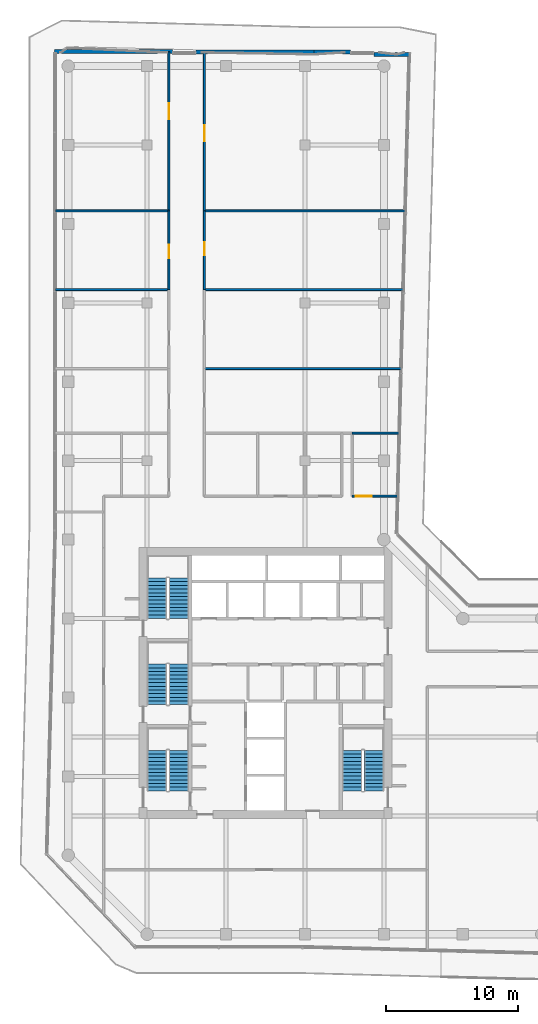
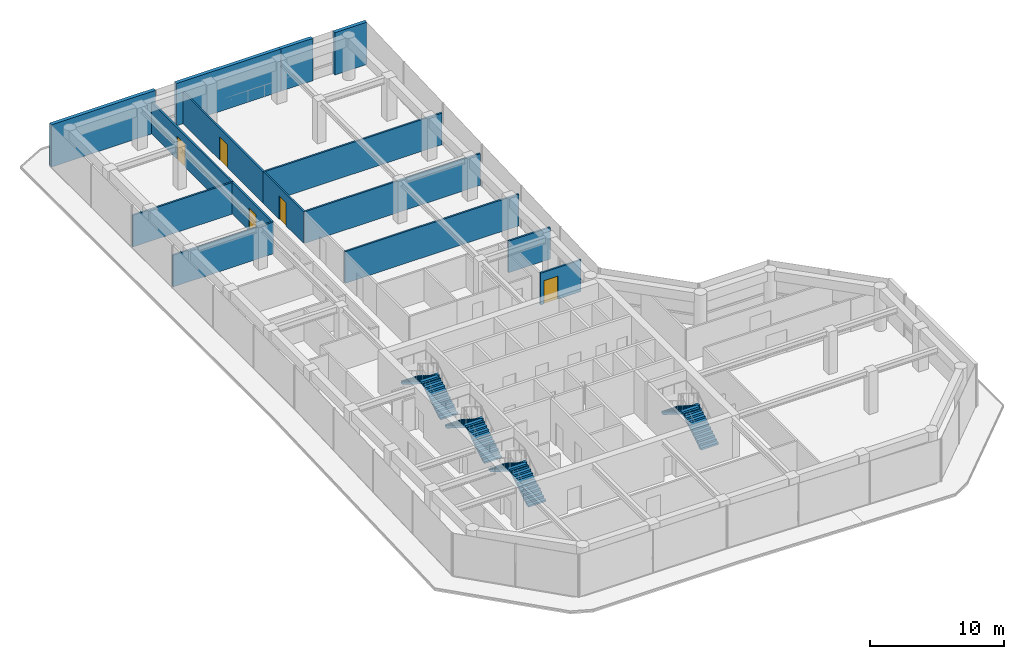
# One storey, part 17 of 19: 15 walls, 8 stair flights, 5 doors, 5 openings, 4 elements without a shape of their own.
"""IFC4 building model written with IfcOpenShell, lengths in metres."""

from ifc_helpers import new_model, si_unit, direction, frame, frame_2d, origin, place, context, subcontext, project, spatial, polyline, rectangle, outline, extrude, material, layer, layer_set, type_object, element, fill, aggregate, save


model = new_model("IFC4")

# Units and contexts
model_context = context("Model", 3, precision=1e-05, world=origin(), true_north=direction((0.0, 1.0)))
body_context = subcontext(model_context, "Body", "Model", "MODEL_VIEW")
ifc_project = project(units=[si_unit("LENGTHUNIT", "METRE"), si_unit("AREAUNIT", "SQUARE_METRE"), si_unit("VOLUMEUNIT", "CUBIC_METRE"), si_unit("PLANEANGLEUNIT", "RADIAN"), si_unit("MASSUNIT", "GRAM", prefix="KILO")], contexts=[model_context])

# Site, building, storey
site_placement = place(None, origin())
site = spatial("IfcSite", under=ifc_project, at=site_placement, CompositionType="ELEMENT")
building_placement = place(site_placement, origin())
building = spatial("IfcBuilding", under=site, at=building_placement, Name="Welwitschia Terrace Campus", CompositionType="ELEMENT")
storey_placement = place(building_placement, frame((0.0, 0.0, 163.39990234375)))
storey = spatial("IfcBuildingStorey", under=building, at=storey_placement, Name="L36", CompositionType="ELEMENT", Elevation=163.39990234375)

# Walls
ifc_material_1 = material(Name="Gypsum board on steel studs", Category="steel")
ifc_layer_1 = layer(ifc_material_1, 0.14990234375)
ifc_layer_set_1 = layer_set([ifc_layer_1], Name="Gypsum board on steel studs")
wall_type_1 = type_object("IfcWallType", Name="Corridor partition 150 EI 30", PredefinedType="PARTITIONING", material=ifc_layer_set_1)
for number, where, z_axis, x_axis, name in (
    (1, (-0.965087890625, 45.0, 0.0), (0.0, 0.0, 1.0), (1.0, 0.0, 0.0), "Partition"),
    (2, (-0.965087890625, 51.0, 0.0), (0.0, 0.0, 1.0), (1.0, 0.0, 0.0), "Partition"),
):
    element("IfcWall", number, at=place(storey_placement, frame(where, z_axis=z_axis, x_axis=x_axis)), inside=storey, type_object=wall_type_1, Name=name, PredefinedType="PARTITIONING", context=body_context, shape_type="SweptSolid", body=[
        extrude(rectangle(XDim=8.614990234375, YDim=0.14990234375, at=frame_2d((4.3076171875, 0.0))), origin(), (0.0, 0.0, 1.0), 2.880126953125),
    ])

# Wall, opening, door
wall_1_placement = place(storey_placement, frame((7.64990234375, 45.0, 0.0), z_axis=(0.0, 0.0, 1.0), x_axis=(0.0, 1.0, 0.0)))
wall_1 = element("IfcWall", 3, at=wall_1_placement, inside=storey, type_object=wall_type_1, Name="Partition", PredefinedType="PARTITIONING", context=body_context, shape_type="SweptSolid", body=[
    extrude(rectangle(XDim=6.0, YDim=0.14990234375, at=frame_2d((3.0, 0.0))), origin(), (0.0, 0.0, 1.0), 2.880126953125),
])
opening_1_placement = place(wall_1_placement, frame((2.39990234375, 0.0, 0.0)))
opening_1 = element("IfcOpeningElement", 4, at=opening_1_placement, cuts=wall_1, Name="Opening DI10", PredefinedType="OPENING", context=body_context, shape_type="SweptSolid", body=[
    extrude(rectangle(XDim=1.0, YDim=2.10009765625, at=frame_2d((0.5, 1.050048828125))), frame((0.0, 0.0849609375, 0.0), z_axis=(0.0, -1.0, 0.0), x_axis=(1.0, 0.0, 0.0)), (0.0, 0.0, 1.0), 0.169921875),
])
ifc_material_2 = material(Name="Timber veneered door", Category="wood")
door_type_1 = type_object("IfcDoorType", Name="Interior door DI10", OperationType="NOTDEFINED", PredefinedType="DOOR", material=ifc_material_2)
door_1_placement = place(opening_1_placement, origin())
door_1 = element("IfcDoor", 5, at=door_1_placement, inside=storey, type_object=door_type_1, Name="Door L36 730", OperationType="SINGLE_SWING_LEFT", OverallHeight=2.10009765625, OverallWidth=1.0, PredefinedType="DOOR", context=body_context, shape_type="SweptSolid", body=[
    extrude(rectangle(XDim=1.0, YDim=2.10009765625, at=frame_2d((0.5, 1.050048828125))), frame((0.0, 0.02490234375, 0.0), z_axis=(0.0, -1.0, 0.0), x_axis=(1.0, 0.0, 0.0)), (0.0, 0.0, 1.0), 0.050048828125),
])
fill(opening_1, door_1)

wall_2_placement = place(storey_placement, frame((7.64990234375, 51.0, 0.0), z_axis=(0.0, 0.0, 1.0), x_axis=(0.0, 1.0, 0.0)))
wall_2 = element("IfcWall", 6, at=wall_2_placement, inside=storey, type_object=wall_type_1, Name="Partition", PredefinedType="PARTITIONING", context=body_context, shape_type="SweptSolid", body=[
    extrude(rectangle(XDim=12.08349609375, YDim=0.14990234375, at=frame_2d((6.041748046875, 0.0))), origin(), (0.0, 0.0, 1.0), 2.880126953125),
])
opening_2_placement = place(wall_2_placement, frame((6.969970703125, 0.0, 0.0)))
opening_2 = element("IfcOpeningElement", 7, at=opening_2_placement, cuts=wall_2, Name="Opening DI12", PredefinedType="OPENING", context=body_context, shape_type="SweptSolid", body=[
    extrude(rectangle(XDim=1.199951171875, YDim=2.10009765625, at=frame_2d((0.60009765625, 1.050048828125))), frame((0.0, 0.0849609375, 0.0), z_axis=(0.0, -1.0, 0.0), x_axis=(1.0, 0.0, 0.0)), (0.0, 0.0, 1.0), 0.169921875),
])
ifc_material_3 = material(Name="Timber veneered door", Category="wood")
door_type_2 = type_object("IfcDoorType", Name="Interior door DI12", OperationType="NOTDEFINED", PredefinedType="DOOR", material=ifc_material_3)
door_2_placement = place(opening_2_placement, origin())
door_2 = element("IfcDoor", 8, at=door_2_placement, inside=storey, type_object=door_type_2, Name="Door L36 731", OperationType="SINGLE_SWING_RIGHT", OverallHeight=2.10009765625, OverallWidth=1.199951171875, PredefinedType="DOOR", context=body_context, shape_type="SweptSolid", body=[
    extrude(rectangle(XDim=1.199951171875, YDim=2.10009765625, at=frame_2d((0.60009765625, 1.050048828125))), frame((0.0, 0.02490234375, 0.0), z_axis=(0.0, -1.0, 0.0), x_axis=(1.0, 0.0, 0.0)), (0.0, 0.0, 1.0), 0.050048828125),
])
fill(opening_2, door_2)

# Walls
wall_3_placement = place(storey_placement, frame((10.35009765625, 39.0, 0.0), z_axis=(0.0, 0.0, 1.0), x_axis=(1.0, 0.0, 0.0)))
element("IfcWall", 9, at=wall_3_placement, inside=storey, type_object=wall_type_1, Name="Partition", PredefinedType="PARTITIONING", context=body_context, shape_type="SweptSolid", body=[
    extrude(rectangle(XDim=14.9599609375, YDim=0.14990234375, at=frame_2d((7.47998046875, 0.0))), origin(), (0.0, 0.0, 1.0), 2.880126953125),
])
wall_4_placement = place(storey_placement, frame((10.35009765625, 45.0, 0.0), z_axis=(0.0, 0.0, 1.0), x_axis=(1.0, 0.0, 0.0)))
element("IfcWall", 10, at=wall_4_placement, inside=storey, type_object=wall_type_1, Name="Partition", PredefinedType="PARTITIONING", context=body_context, shape_type="SweptSolid", body=[
    extrude(rectangle(XDim=15.119873046875, YDim=0.14990234375, at=frame_2d((7.56005859375, 0.0))), origin(), (0.0, 0.0, 1.0), 2.880126953125),
])

# Wall, opening, door
wall_5_placement = place(storey_placement, frame((10.35009765625, 51.0, 0.0), z_axis=(0.0, 0.0, 1.0), x_axis=(0.0, -1.0, 0.0)))
wall_5 = element("IfcWall", 11, at=wall_5_placement, inside=storey, type_object=wall_type_1, Name="Partition", PredefinedType="PARTITIONING", context=body_context, shape_type="SweptSolid", body=[
    extrude(rectangle(XDim=6.0, YDim=0.14990234375, at=frame_2d((3.0, 0.0))), origin(), (0.0, 0.0, 1.0), 2.880126953125),
])
opening_3_placement = place(wall_5_placement, frame((2.39990234375, 0.0, 0.0)))
opening_3 = element("IfcOpeningElement", 12, at=opening_3_placement, cuts=wall_5, Name="Opening DI10", PredefinedType="OPENING", context=body_context, shape_type="SweptSolid", body=[
    extrude(rectangle(XDim=1.0, YDim=2.10009765625, at=frame_2d((0.5, 1.050048828125))), frame((0.0, 0.0849609375, 0.0), z_axis=(0.0, -1.0, 0.0), x_axis=(1.0, 0.0, 0.0)), (0.0, 0.0, 1.0), 0.169921875),
])
door_3_placement = place(opening_3_placement, origin())
door_3 = element("IfcDoor", 13, at=door_3_placement, inside=storey, type_object=door_type_1, Name="Door L36 734", OperationType="SINGLE_SWING_LEFT", OverallHeight=2.10009765625, OverallWidth=1.0, PredefinedType="DOOR", context=body_context, shape_type="SweptSolid", body=[
    extrude(rectangle(XDim=1.0, YDim=2.10009765625, at=frame_2d((0.5, 1.050048828125))), frame((0.0, 0.02490234375, 0.0), z_axis=(0.0, -1.0, 0.0), x_axis=(1.0, 0.0, 0.0)), (0.0, 0.0, 1.0), 0.050048828125),
])
fill(opening_3, door_3)

# Wall
wall_6_placement = place(storey_placement, frame((10.35009765625, 51.0, 0.0), z_axis=(0.0, 0.0, 1.0), x_axis=(1.0, 0.0, 0.0)))
element("IfcWall", 14, at=wall_6_placement, inside=storey, type_object=wall_type_1, Name="Partition", PredefinedType="PARTITIONING", context=body_context, shape_type="SweptSolid", body=[
    extrude(rectangle(XDim=15.27978515625, YDim=0.14990234375, at=frame_2d((7.639892578125, 0.0))), origin(), (0.0, 0.0, 1.0), 2.880126953125),
])

# Wall, opening, door
wall_7_placement = place(storey_placement, frame((10.35009765625, 63.085205078125, 0.0), z_axis=(0.0, 0.0, 1.0), x_axis=(0.0, -1.0, 0.0)))
wall_7 = element("IfcWall", 15, at=wall_7_placement, inside=storey, type_object=wall_type_1, Name="Partition", PredefinedType="PARTITIONING", context=body_context, shape_type="SweptSolid", body=[
    extrude(rectangle(XDim=12.085205078125, YDim=0.14990234375, at=frame_2d((6.04248046875, 0.0))), origin(), (0.0, 0.0, 1.0), 2.880126953125),
])
opening_4_placement = place(wall_7_placement, frame((5.585205078125, 0.0, 0.0)))
opening_4 = element("IfcOpeningElement", 16, at=opening_4_placement, cuts=wall_7, Name="Opening DI12", PredefinedType="OPENING", context=body_context, shape_type="SweptSolid", body=[
    extrude(rectangle(XDim=1.199951171875, YDim=2.10009765625, at=frame_2d((0.60009765625, 1.050048828125))), frame((0.0, 0.0849609375, 0.0), z_axis=(0.0, -1.0, 0.0), x_axis=(1.0, 0.0, 0.0)), (0.0, 0.0, 1.0), 0.169921875),
])
door_4_placement = place(opening_4_placement, origin())
door_4 = element("IfcDoor", 17, at=door_4_placement, inside=storey, type_object=door_type_2, Name="Door L36 735", OperationType="SINGLE_SWING_RIGHT", OverallHeight=2.10009765625, OverallWidth=1.199951171875, PredefinedType="DOOR", context=body_context, shape_type="SweptSolid", body=[
    extrude(rectangle(XDim=1.199951171875, YDim=2.10009765625, at=frame_2d((0.60009765625, 1.050048828125))), frame((0.0, 0.02490234375, 0.0), z_axis=(0.0, -1.0, 0.0), x_axis=(1.0, 0.0, 0.0)), (0.0, 0.0, 1.0), 0.050048828125),
])
fill(opening_4, door_4)

wall_8_placement = place(storey_placement, frame((21.580078125, 29.300048828125, 0.0), z_axis=(0.0, 0.0, 1.0), x_axis=(1.0, 0.0, 0.0)))
wall_8 = element("IfcWall", 18, at=wall_8_placement, inside=storey, type_object=wall_type_1, Name="Partition", PredefinedType="PARTITIONING", context=body_context, shape_type="SweptSolid", body=[
    extrude(rectangle(XDim=3.47998046875, YDim=0.14990234375, at=frame_2d((1.739990234375, 0.0))), origin(), (0.0, 0.0, 1.0), 2.880126953125),
])
opening_5_placement = place(wall_8_placement, frame((0.280029296875, 0.0, 0.0)))
opening_5 = element("IfcOpeningElement", 19, at=opening_5_placement, cuts=wall_8, Name="Opening DX12", PredefinedType="OPENING", context=body_context, shape_type="SweptSolid", body=[
    extrude(rectangle(XDim=1.199951171875, YDim=2.10009765625, at=frame_2d((0.60009765625, 1.050048828125))), frame((0.0, 0.0849609375, 0.0), z_axis=(0.0, -1.0, 0.0), x_axis=(1.0, 0.0, 0.0)), (0.0, 0.0, 1.0), 0.169921875),
])
ifc_material_4 = material(Name="Timber veneered door", Category="wood")
door_type_3 = type_object("IfcDoorType", Name="Interior door DX12", OperationType="NOTDEFINED", PredefinedType="DOOR", material=ifc_material_4)
door_5_placement = place(opening_5_placement, origin())
door_5 = element("IfcDoor", 20, at=door_5_placement, inside=storey, type_object=door_type_3, Name="Door L36 738", OperationType="SINGLE_SWING_LEFT", OverallHeight=2.10009765625, OverallWidth=1.199951171875, PredefinedType="DOOR", context=body_context, shape_type="SweptSolid", body=[
    extrude(rectangle(XDim=1.199951171875, YDim=2.10009765625, at=frame_2d((0.60009765625, 1.050048828125))), frame((0.0, 0.02490234375, 0.0), z_axis=(0.0, -1.0, 0.0), x_axis=(1.0, 0.0, 0.0)), (0.0, 0.0, 1.0), 0.050048828125),
])
fill(opening_5, door_5)

# Walls
wall_9_placement = place(storey_placement, frame((21.580078125, 34.10009765625, 0.0), z_axis=(0.0, 0.0, 1.0), x_axis=(1.0, 0.0, 0.0)))
element("IfcWall", 21, at=wall_9_placement, inside=storey, type_object=wall_type_1, Name="Partition", PredefinedType="PARTITIONING", context=body_context, shape_type="SweptSolid", body=[
    extrude(rectangle(XDim=3.599853515625, YDim=0.14990234375, at=frame_2d((1.7998046875, 0.0))), origin(), (0.0, 0.0, 1.0), 2.880126953125),
])
ifc_material_5 = material(Name="Concrete C40/50", Category="concrete")
ifc_layer_2 = layer(ifc_material_5, 0.300048828125)
ifc_layer_set_2 = layer_set([ifc_layer_2], Name="Concrete C40/50")
wall_type_2 = type_object("IfcWallType", Name="Mass wall 300", PredefinedType="SOLIDWALL", material=ifc_layer_set_2)
for number, where, z_axis, x_axis, name in (
    (22, (25.990234375, 62.89111328125, 0.0), (0.0, 0.0, 1.0), (-1.0, 0.0, 0.0), "Mass wall L36.11.0"),
    (23, (21.441650390625, 63.080078125, 0.0), (0.0, 0.0, 1.0), (-1.0, 0.0, 0.0), "Mass wall L36.11.1"),
):
    element("IfcWall", number, at=place(storey_placement, frame(where, z_axis=z_axis, x_axis=x_axis)), inside=storey, type_object=wall_type_2, Name=name, PredefinedType="SOLIDWALL", context=body_context, shape_type="SweptSolid", body=[
        extrude(rectangle(XDim=2.74853515625, YDim=0.300048828125, at=frame_2d((1.374267578125, 0.0))), origin(), (0.0, 0.0, 1.0), 3.85009765625),
    ])
for number, where, z_axis, x_axis, name in (
    (24, (18.69287109375, 63.080078125, 0.0), (0.0, 0.0, 1.0), (-0.999999820386, -0.000599356946, 0.0), "Mass wall L36.12.0"),
    (25, (7.931396484375, 63.096435546875, 0.0), (0.0, 0.0, 1.0), (-0.999999836343, -0.000572113457, 0.0), "Mass wall L36.12.1"),
):
    element("IfcWall", number, at=place(storey_placement, frame(where, z_axis=z_axis, x_axis=x_axis)), inside=storey, type_object=wall_type_2, Name=name, PredefinedType="SOLIDWALL", context=body_context, shape_type="SweptSolid", body=[
        extrude(rectangle(XDim=8.96142578125, YDim=0.300048828125, at=frame_2d((4.480712890625, 0.0))), origin(), (0.0, 0.0, 1.0), 3.85009765625),
    ])

# Stair, stair flights
ifc_material_6 = material(Name="Concrete C40/50", Category="concrete")
stair_type = type_object("IfcStairType", Name="Stair 24R 175 W1500", PredefinedType="HALF_TURN_STAIR", material=ifc_material_6)
stair_1_placement = place(storey_placement, origin())
stair_1 = element("IfcStair", 26, at=stair_1_placement, inside=storey, type_object=stair_type, Name="L36 Exit stair S1", PredefinedType="HALF_TURN_STAIR")
ifc_material_7 = material(Name="Concrete C40/50", Category="concrete")
stair_flight_type = type_object("IfcStairFlightType", Name="Stair flight 24R 175 W1500", PredefinedType="STRAIGHT", material=ifc_material_7)
stair_flight_1_placement = place(storey_placement, frame((8.39990234375, 6.89990234375, 0.0), z_axis=(0.0, 0.0, 1.0), x_axis=(0.0, 1.0, 0.0)))
stair_flight_1 = element("IfcStairFlight", 27, at=stair_flight_1_placement, type_object=stair_flight_type, Name="S1 flight 1", NumberOfRisers=12, NumberOfTreads=11, PredefinedType="STRAIGHT", RiserHeight=0.175, TreadLength=0.28, context=body_context, shape_type="SweptSolid", body=[
    extrude(outline(polyline([(0.0, 0.0), (0.0, 0.175048828125), (0.280029296875, 0.175048828125), (0.280029296875, 0.35009765625), (0.56005859375, 0.35009765625), (0.56005859375, 0.52490234375), (0.840087890625, 0.52490234375), (0.840087890625, 0.699951171875), (1.1201171875, 0.699951171875), (1.1201171875, 0.875), (1.39990234375, 0.875), (1.39990234375, 1.050048828125), (1.679931640625, 1.050048828125), (1.679931640625, 1.22509765625), (1.9599609375, 1.22509765625), (1.9599609375, 1.39990234375), (2.239990234375, 1.39990234375), (2.239990234375, 1.574951171875), (2.52001953125, 1.574951171875), (2.52001953125, 1.75), (2.800048828125, 1.75), (2.800048828125, 1.925048828125), (3.080078125, 1.925048828125), (3.080078125, 2.10009765625), (3.080078125, 1.748291015625), (0.28271484375, 0.0), (0.0, 0.0)])), frame((0.0, 0.75, 0.0), z_axis=(0.0, -1.0, 0.0), x_axis=(1.0, 0.0, 0.0)), (0.0, 0.0, 1.0), 1.5),
])
stair_flight_2_placement = place(storey_placement, frame((6.75, 9.97998046875, 2.10009765625), z_axis=(0.0, 0.0, 1.0), x_axis=(0.0, -1.0, 0.0)))
stair_flight_2 = element("IfcStairFlight", 28, at=stair_flight_2_placement, type_object=stair_flight_type, Name="S1 flight 2", NumberOfRisers=12, NumberOfTreads=11, PredefinedType="STRAIGHT", RiserHeight=0.175, TreadLength=0.28, context=body_context, shape_type="SweptSolid", body=[
    extrude(outline(polyline([(0.0, 0.0), (0.0, 0.175048828125), (0.280029296875, 0.175048828125), (0.280029296875, 0.35009765625), (0.56005859375, 0.35009765625), (0.56005859375, 0.52490234375), (0.840087890625, 0.52490234375), (0.840087890625, 0.699951171875), (1.1201171875, 0.699951171875), (1.1201171875, 0.875), (1.39990234375, 0.875), (1.39990234375, 1.050048828125), (1.679931640625, 1.050048828125), (1.679931640625, 1.22509765625), (1.9599609375, 1.22509765625), (1.9599609375, 1.39990234375), (2.239990234375, 1.39990234375), (2.239990234375, 1.574951171875), (2.52001953125, 1.574951171875), (2.52001953125, 1.75), (2.800048828125, 1.75), (2.800048828125, 1.925048828125), (3.080078125, 1.925048828125), (3.080078125, 2.10009765625), (3.080078125, 1.748291015625), (0.28271484375, 0.0), (0.0, 0.0)])), frame((0.0, 0.75, 0.0), z_axis=(0.0, -1.0, 0.0), x_axis=(1.0, 0.0, 0.0)), (0.0, 0.0, 1.0), 1.5),
])
aggregate(stair_1, [stair_flight_1, stair_flight_2])

stair_2_placement = place(storey_placement, origin())
stair_2 = element("IfcStair", 29, at=stair_2_placement, inside=storey, type_object=stair_type, Name="L36 Exit stair S3", PredefinedType="HALF_TURN_STAIR")
stair_flight_3_placement = place(storey_placement, frame((8.39990234375, 13.449951171875, 0.0), z_axis=(0.0, 0.0, 1.0), x_axis=(0.0, 1.0, 0.0)))
stair_flight_3 = element("IfcStairFlight", 30, at=stair_flight_3_placement, type_object=stair_flight_type, Name="S3 flight 1", NumberOfRisers=12, NumberOfTreads=11, PredefinedType="STRAIGHT", RiserHeight=0.175, TreadLength=0.28, context=body_context, shape_type="SweptSolid", body=[
    extrude(outline(polyline([(0.0, 0.0), (0.0, 0.175048828125), (0.280029296875, 0.175048828125), (0.280029296875, 0.35009765625), (0.56005859375, 0.35009765625), (0.56005859375, 0.52490234375), (0.840087890625, 0.52490234375), (0.840087890625, 0.699951171875), (1.1201171875, 0.699951171875), (1.1201171875, 0.875), (1.39990234375, 0.875), (1.39990234375, 1.050048828125), (1.679931640625, 1.050048828125), (1.679931640625, 1.22509765625), (1.9599609375, 1.22509765625), (1.9599609375, 1.39990234375), (2.239990234375, 1.39990234375), (2.239990234375, 1.574951171875), (2.52001953125, 1.574951171875), (2.52001953125, 1.75), (2.800048828125, 1.75), (2.800048828125, 1.925048828125), (3.080078125, 1.925048828125), (3.080078125, 2.10009765625), (3.080078125, 1.748291015625), (0.28271484375, 0.0), (0.0, 0.0)])), frame((0.0, 0.75, 0.0), z_axis=(0.0, -1.0, 0.0), x_axis=(1.0, 0.0, 0.0)), (0.0, 0.0, 1.0), 1.5),
])
stair_flight_4_placement = place(storey_placement, frame((6.75, 16.530029296875, 2.10009765625), z_axis=(0.0, 0.0, 1.0), x_axis=(0.0, -1.0, 0.0)))
stair_flight_4 = element("IfcStairFlight", 31, at=stair_flight_4_placement, type_object=stair_flight_type, Name="S3 flight 2", NumberOfRisers=12, NumberOfTreads=11, PredefinedType="STRAIGHT", RiserHeight=0.175, TreadLength=0.28, context=body_context, shape_type="SweptSolid", body=[
    extrude(outline(polyline([(0.0, 0.0), (0.0, 0.175048828125), (0.280029296875, 0.175048828125), (0.280029296875, 0.35009765625), (0.56005859375, 0.35009765625), (0.56005859375, 0.52490234375), (0.840087890625, 0.52490234375), (0.840087890625, 0.699951171875), (1.1201171875, 0.699951171875), (1.1201171875, 0.875), (1.39990234375, 0.875), (1.39990234375, 1.050048828125), (1.679931640625, 1.050048828125), (1.679931640625, 1.22509765625), (1.9599609375, 1.22509765625), (1.9599609375, 1.39990234375), (2.239990234375, 1.39990234375), (2.239990234375, 1.574951171875), (2.52001953125, 1.574951171875), (2.52001953125, 1.75), (2.800048828125, 1.75), (2.800048828125, 1.925048828125), (3.080078125, 1.925048828125), (3.080078125, 2.10009765625), (3.080078125, 1.748291015625), (0.28271484375, 0.0), (0.0, 0.0)])), frame((0.0, 0.75, 0.0), z_axis=(0.0, -1.0, 0.0), x_axis=(1.0, 0.0, 0.0)), (0.0, 0.0, 1.0), 1.5),
])
aggregate(stair_2, [stair_flight_3, stair_flight_4])

stair_3_placement = place(storey_placement, origin())
stair_3 = element("IfcStair", 32, at=stair_3_placement, inside=storey, type_object=stair_type, Name="L36 Exit stair S4", PredefinedType="HALF_TURN_STAIR")
stair_flight_5_placement = place(storey_placement, frame((8.39990234375, 20.0, 0.0), z_axis=(0.0, 0.0, 1.0), x_axis=(0.0, 1.0, 0.0)))
stair_flight_5 = element("IfcStairFlight", 33, at=stair_flight_5_placement, type_object=stair_flight_type, Name="S4 flight 1", NumberOfRisers=12, NumberOfTreads=11, PredefinedType="STRAIGHT", RiserHeight=0.175, TreadLength=0.28, context=body_context, shape_type="SweptSolid", body=[
    extrude(outline(polyline([(0.0, 0.0), (0.0, 0.175048828125), (0.280029296875, 0.175048828125), (0.280029296875, 0.35009765625), (0.56005859375, 0.35009765625), (0.56005859375, 0.52490234375), (0.840087890625, 0.52490234375), (0.840087890625, 0.699951171875), (1.1201171875, 0.699951171875), (1.1201171875, 0.875), (1.39990234375, 0.875), (1.39990234375, 1.050048828125), (1.679931640625, 1.050048828125), (1.679931640625, 1.22509765625), (1.9599609375, 1.22509765625), (1.9599609375, 1.39990234375), (2.239990234375, 1.39990234375), (2.239990234375, 1.574951171875), (2.52001953125, 1.574951171875), (2.52001953125, 1.75), (2.800048828125, 1.75), (2.800048828125, 1.925048828125), (3.080078125, 1.925048828125), (3.080078125, 2.10009765625), (3.080078125, 1.748291015625), (0.28271484375, 0.0), (0.0, 0.0)])), frame((0.0, 0.75, 0.0), z_axis=(0.0, -1.0, 0.0), x_axis=(1.0, 0.0, 0.0)), (0.0, 0.0, 1.0), 1.5),
])
stair_flight_6_placement = place(storey_placement, frame((6.75, 23.080078125, 2.10009765625), z_axis=(0.0, 0.0, 1.0), x_axis=(0.0, -1.0, 0.0)))
stair_flight_6 = element("IfcStairFlight", 34, at=stair_flight_6_placement, type_object=stair_flight_type, Name="S4 flight 2", NumberOfRisers=12, NumberOfTreads=11, PredefinedType="STRAIGHT", RiserHeight=0.175, TreadLength=0.28, context=body_context, shape_type="SweptSolid", body=[
    extrude(outline(polyline([(0.0, 0.0), (0.0, 0.175048828125), (0.280029296875, 0.175048828125), (0.280029296875, 0.35009765625), (0.56005859375, 0.35009765625), (0.56005859375, 0.52490234375), (0.840087890625, 0.52490234375), (0.840087890625, 0.699951171875), (1.1201171875, 0.699951171875), (1.1201171875, 0.875), (1.39990234375, 0.875), (1.39990234375, 1.050048828125), (1.679931640625, 1.050048828125), (1.679931640625, 1.22509765625), (1.9599609375, 1.22509765625), (1.9599609375, 1.39990234375), (2.239990234375, 1.39990234375), (2.239990234375, 1.574951171875), (2.52001953125, 1.574951171875), (2.52001953125, 1.75), (2.800048828125, 1.75), (2.800048828125, 1.925048828125), (3.080078125, 1.925048828125), (3.080078125, 2.10009765625), (3.080078125, 1.748291015625), (0.28271484375, 0.0), (0.0, 0.0)])), frame((0.0, 0.75, 0.0), z_axis=(0.0, -1.0, 0.0), x_axis=(1.0, 0.0, 0.0)), (0.0, 0.0, 1.0), 1.5),
])
aggregate(stair_3, [stair_flight_5, stair_flight_6])

stair_4_placement = place(storey_placement, origin())
stair_4 = element("IfcStair", 35, at=stair_4_placement, inside=storey, type_object=stair_type, Name="L36 Exit stair S2", PredefinedType="HALF_TURN_STAIR")
stair_flight_7_placement = place(storey_placement, frame((23.25, 6.89990234375, 0.0), z_axis=(0.0, 0.0, 1.0), x_axis=(0.0, 1.0, 0.0)))
stair_flight_7 = element("IfcStairFlight", 36, at=stair_flight_7_placement, type_object=stair_flight_type, Name="S2 flight 1", NumberOfRisers=12, NumberOfTreads=11, PredefinedType="STRAIGHT", RiserHeight=0.175, TreadLength=0.28, context=body_context, shape_type="SweptSolid", body=[
    extrude(outline(polyline([(0.0, 0.0), (0.0, 0.175048828125), (0.280029296875, 0.175048828125), (0.280029296875, 0.35009765625), (0.56005859375, 0.35009765625), (0.56005859375, 0.52490234375), (0.840087890625, 0.52490234375), (0.840087890625, 0.699951171875), (1.1201171875, 0.699951171875), (1.1201171875, 0.875), (1.39990234375, 0.875), (1.39990234375, 1.050048828125), (1.679931640625, 1.050048828125), (1.679931640625, 1.22509765625), (1.9599609375, 1.22509765625), (1.9599609375, 1.39990234375), (2.239990234375, 1.39990234375), (2.239990234375, 1.574951171875), (2.52001953125, 1.574951171875), (2.52001953125, 1.75), (2.800048828125, 1.75), (2.800048828125, 1.925048828125), (3.080078125, 1.925048828125), (3.080078125, 2.10009765625), (3.080078125, 1.748291015625), (0.28271484375, 0.0), (0.0, 0.0)])), frame((0.0, 0.75, 0.0), z_axis=(0.0, -1.0, 0.0), x_axis=(1.0, 0.0, 0.0)), (0.0, 0.0, 1.0), 1.5),
])
stair_flight_8_placement = place(storey_placement, frame((21.60009765625, 9.97998046875, 2.10009765625), z_axis=(0.0, 0.0, 1.0), x_axis=(0.0, -1.0, 0.0)))
stair_flight_8 = element("IfcStairFlight", 37, at=stair_flight_8_placement, type_object=stair_flight_type, Name="S2 flight 2", NumberOfRisers=12, NumberOfTreads=11, PredefinedType="STRAIGHT", RiserHeight=0.175, TreadLength=0.28, context=body_context, shape_type="SweptSolid", body=[
    extrude(outline(polyline([(0.0, 0.0), (0.0, 0.175048828125), (0.280029296875, 0.175048828125), (0.280029296875, 0.35009765625), (0.56005859375, 0.35009765625), (0.56005859375, 0.52490234375), (0.840087890625, 0.52490234375), (0.840087890625, 0.699951171875), (1.1201171875, 0.699951171875), (1.1201171875, 0.875), (1.39990234375, 0.875), (1.39990234375, 1.050048828125), (1.679931640625, 1.050048828125), (1.679931640625, 1.22509765625), (1.9599609375, 1.22509765625), (1.9599609375, 1.39990234375), (2.239990234375, 1.39990234375), (2.239990234375, 1.574951171875), (2.52001953125, 1.574951171875), (2.52001953125, 1.75), (2.800048828125, 1.75), (2.800048828125, 1.925048828125), (3.080078125, 1.925048828125), (3.080078125, 2.10009765625), (3.080078125, 1.748291015625), (0.28271484375, 0.0), (0.0, 0.0)])), frame((0.0, 0.75, 0.0), z_axis=(0.0, -1.0, 0.0), x_axis=(1.0, 0.0, 0.0)), (0.0, 0.0, 1.0), 1.5),
])
aggregate(stair_4, [stair_flight_7, stair_flight_8])

save(model, "model.ifc")
